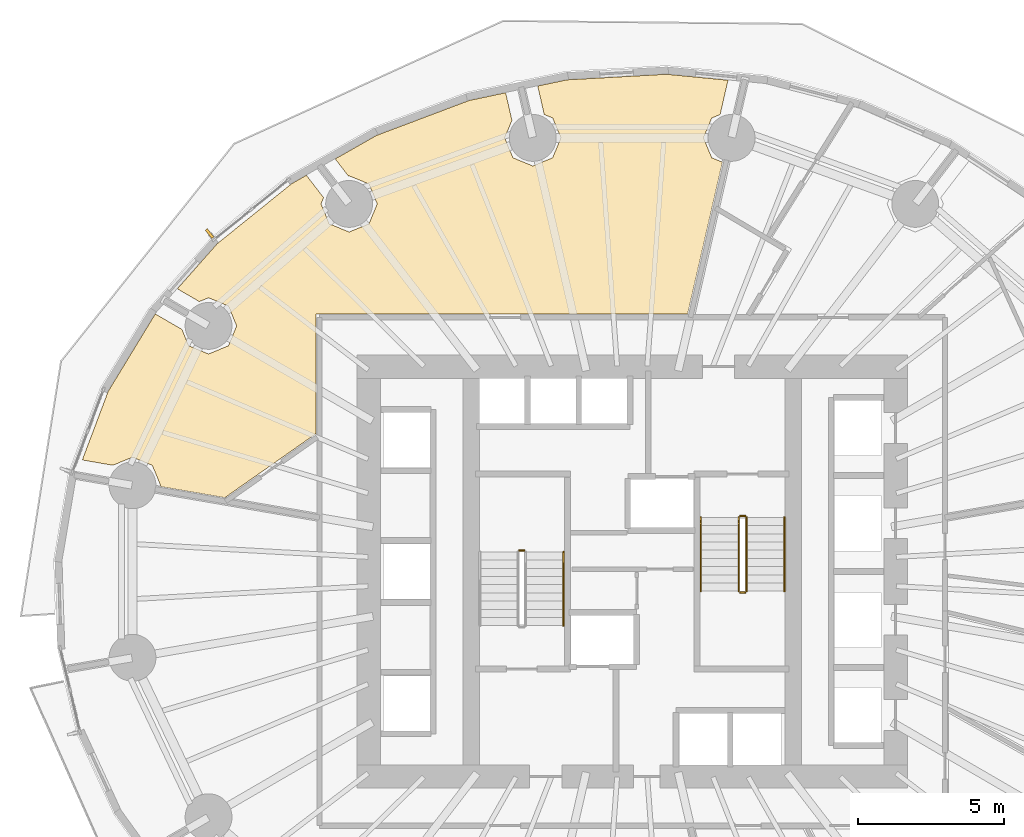
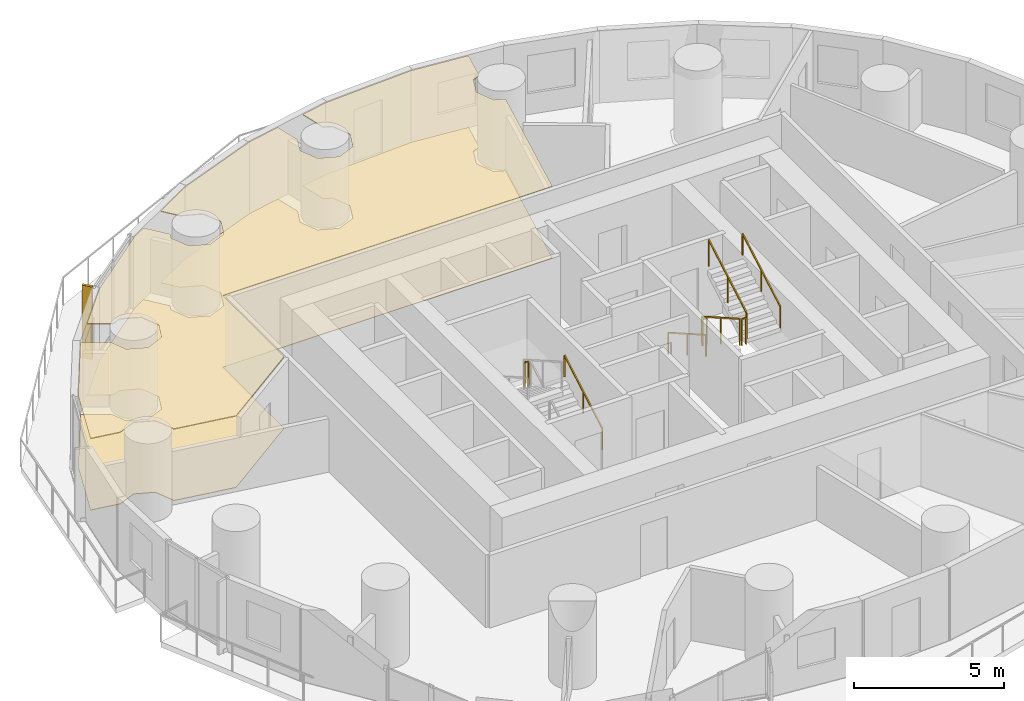
# One storey, part 13 of 14: 8 railings, 2 coverings, 1 shading device.
"""IFC4 building model written with IfcOpenShell, lengths in metres."""

from ifc_helpers import new_model, si_unit, direction, frame, origin, origin_2d, place, context, subcontext, project, spatial, polyline, rectangle, outline, extrude, material, layer, layer_set, type_object, element, save


model = new_model("IFC4")

# Units and contexts
model_context = context("Model", 3, precision=1e-05, world=origin(), true_north=direction((0.0, 1.0)))
body_context = subcontext(model_context, "Body", "Model", "MODEL_VIEW")
ifc_project = project(units=[si_unit("LENGTHUNIT", "METRE"), si_unit("AREAUNIT", "SQUARE_METRE"), si_unit("VOLUMEUNIT", "CUBIC_METRE"), si_unit("PLANEANGLEUNIT", "RADIAN"), si_unit("MASSUNIT", "GRAM", prefix="KILO")], contexts=[model_context])

# Site, building, storey
site_placement = place(None, origin())
site = spatial("IfcSite", under=ifc_project, at=site_placement, CompositionType="ELEMENT")
building_placement = place(site_placement, origin())
building = spatial("IfcBuilding", under=site, at=building_placement, Name="Veldorim Arch Residences", CompositionType="ELEMENT")
storey_placement = place(building_placement, frame((0.0, 0.0, 34.39990234375)))
storey = spatial("IfcBuildingStorey", under=building, at=storey_placement, Name="L09", CompositionType="ELEMENT", Elevation=34.39990234375)

# Railings
ifc_material_1 = material(Name="Steel S355", Category="steel")
railing_type_1 = type_object("IfcRailingType", Name="Galvanised Steel Stair Safety Guardrail 1100", PredefinedType="GUARDRAIL", material=ifc_material_1)
railing_1_placement = place(storey_placement, frame((28.31005859375, 24.719970703125, 1.60009765625)))
element("IfcRailing", 1, at=railing_1_placement, inside=storey, type_object=railing_type_1, Name="L09 ST-1 stair guard 2", PredefinedType="GUARDRAIL", context=body_context, shape_type="SweptSolid", body=[
    extrude(rectangle(XDim=0.048095703125, YDim=0.048095703125, at=origin_2d()), frame((0.0, 0.0, 1.076171875), z_axis=(-1.0, 0.0, 0.0), x_axis=(0.0, -1.0, 0.0)), (0.0, 0.0, 1.0), 0.16015625),
    extrude(rectangle(XDim=0.0419921875, YDim=0.0419921875, at=origin_2d()), origin(), (0.0, 0.0, 1.0), 1.052001953125),
    extrude(rectangle(XDim=0.0419921875, YDim=0.0419921875, at=origin_2d()), frame((-0.16015625, 0.0, 0.0)), (0.0, 0.0, 1.0), 1.052001953125),
])
railing_2_placement = place(storey_placement, frame((35.639892578125, 25.85009765625, 0.16015625)))
element("IfcRailing", 2, at=railing_2_placement, inside=storey, type_object=railing_type_1, Name="L09 ST-2 stair guard 1", PredefinedType="GUARDRAIL", context=body_context, shape_type="SweptSolid", body=[
    extrude(rectangle(XDim=0.048095703125, YDim=0.048095703125, at=origin_2d()), frame((0.0, 0.0, 1.076171875), z_axis=(0.0, -0.868253494771, 0.496120820787), x_axis=(1.0, 0.0, 0.0)), (0.0, 0.0, 1.0), 2.90234375),
    extrude(rectangle(XDim=0.0419921875, YDim=0.0419921875, at=origin_2d()), origin(), (0.0, 0.0, 1.0), 1.052001953125),
    extrude(rectangle(XDim=0.0419921875, YDim=0.0419921875, at=origin_2d()), frame((0.0, -1.260009765625, 0.719970703125)), (0.0, 0.0, 1.0), 1.052001953125),
    extrude(rectangle(XDim=0.0419921875, YDim=0.0419921875, at=origin_2d()), frame((0.0, -2.52001953125, 1.43994140625)), (0.0, 0.0, 1.0), 1.052001953125),
])
railing_3_placement = place(storey_placement, frame((35.68994140625, 23.280029296875, 1.60009765625)))
element("IfcRailing", 3, at=railing_3_placement, inside=storey, type_object=railing_type_1, Name="L09 ST-2 stair guard 2", PredefinedType="GUARDRAIL", context=body_context, shape_type="SweptSolid", body=[
    extrude(rectangle(XDim=0.048095703125, YDim=0.048095703125, at=origin_2d()), frame((0.0, 0.0, 1.076171875), z_axis=(1.0, 0.0, 0.0), x_axis=(0.0, 1.0, 0.0)), (0.0, 0.0, 1.0), 0.16015625),
    extrude(rectangle(XDim=0.0419921875, YDim=0.0419921875, at=origin_2d()), origin(), (0.0, 0.0, 1.0), 1.052001953125),
    extrude(rectangle(XDim=0.0419921875, YDim=0.0419921875, at=origin_2d()), frame((0.16015625, 0.0, 0.0)), (0.0, 0.0, 1.0), 1.052001953125),
])
railing_4_placement = place(storey_placement, frame((35.89990234375, 23.330078125, 1.760009765625)))
element("IfcRailing", 4, at=railing_4_placement, inside=storey, type_object=railing_type_1, Name="L09 ST-2 stair guard 3", PredefinedType="GUARDRAIL", context=body_context, shape_type="SweptSolid", body=[
    extrude(rectangle(XDim=0.048095703125, YDim=0.048095703125, at=origin_2d()), frame((0.0, 0.0, 1.076171875), z_axis=(0.0, 0.868217259934, 0.496184229447), x_axis=(-1.0, 0.0, 0.0)), (0.0, 0.0, 1.0), 2.902587890625),
    extrude(rectangle(XDim=0.0419921875, YDim=0.0419921875, at=origin_2d()), origin(), (0.0, 0.0, 1.0), 1.052001953125),
    extrude(rectangle(XDim=0.0419921875, YDim=0.0419921875, at=origin_2d()), frame((0.0, 1.260009765625, 0.72021484375)), (0.0, 0.0, 1.0), 1.052001953125),
    extrude(rectangle(XDim=0.0419921875, YDim=0.0419921875, at=origin_2d()), frame((0.0, 2.52001953125, 1.440185546875)), (0.0, 0.0, 1.0), 1.052001953125),
])
railing_5_placement = place(storey_placement, frame((35.68994140625, 25.89990234375, 0.0)))
element("IfcRailing", 5, at=railing_5_placement, inside=storey, type_object=railing_type_1, Name="L09 ST-2 stair guard 4", PredefinedType="GUARDRAIL", context=body_context, shape_type="SweptSolid", body=[
    extrude(rectangle(XDim=0.048095703125, YDim=0.048095703125, at=origin_2d()), frame((0.0, 0.0, 1.076171875), z_axis=(1.0, 0.0, 0.0), x_axis=(0.0, 1.0, 0.0)), (0.0, 0.0, 1.0), 0.16015625),
    extrude(rectangle(XDim=0.0419921875, YDim=0.0419921875, at=origin_2d()), origin(), (0.0, 0.0, 1.0), 1.052001953125),
    extrude(rectangle(XDim=0.0419921875, YDim=0.0419921875, at=origin_2d()), frame((0.16015625, 0.0, 0.0)), (0.0, 0.0, 1.0), 1.052001953125),
])

# Coverings
ifc_material_2 = material(Name="Acoustic Gypsum & Mineral Fibre", Category="gypsum")
ifc_layer_1 = layer(ifc_material_2, 0.034912109375, Name="Perforated Acoustic Mineral-Fibre Ceiling 35")
ifc_layer_set_1 = layer_set([ifc_layer_1], Name="Acoustic Gypsum & Mineral Fibre")
covering_type_1 = type_object("IfcCoveringType", Name="Perforated Acoustic Mineral-Fibre Ceiling 35", PredefinedType="CEILING", material=ifc_layer_set_1)
covering_1_placement = place(storey_placement, frame((0.0, 0.0, 2.905029296875)))
element("IfcCovering", 6, at=covering_1_placement, inside=storey, type_object=covering_type_1, Name="L09 acoustic suspended ceiling 06", PredefinedType="CEILING", context=body_context, shape_type="SweptSolid", body=[
    extrude(outline(polyline([(13.220703125, 27.81005859375), (14.10498046875, 30.15478515625), (15.71240234375, 32.797119140625), (16.6220703125, 32.269775390625), (16.853759765625, 31.71044921875), (17.532470703125, 31.42919921875), (18.211181640625, 31.71044921875), (18.4921875, 32.38916015625), (18.211181640625, 33.06787109375), (17.532470703125, 33.34912109375), (17.218017578125, 33.21875), (16.46630859375, 33.654541015625), (17.830078125, 35.198486328125), (20.373046875, 37.248046875), (20.873779296875, 37.53271484375), (21.4619140625, 36.76904296875), (21.373291015625, 36.55517578125), (21.654296875, 35.87646484375), (22.3330078125, 35.59521484375), (23.01171875, 35.87646484375), (23.29296875, 36.55517578125), (23.01171875, 37.23388671875), (22.3330078125, 37.51513671875), (22.30859375, 37.5048828125), (21.85693359375, 38.091552734375), (23.271240234375, 38.895263671875), (26.436279296875, 40.0888671875), (27.677734375, 40.3505859375), (27.8935546875, 39.40869140625), (27.6455078125, 38.809814453125), (27.9267578125, 38.131103515625), (28.60546875, 37.85009765625), (29.2841796875, 38.131103515625), (29.565185546875, 38.809814453125), (29.2841796875, 39.488525390625), (28.9970703125, 39.607421875), (28.773681640625, 40.581787109375), (29.771484375, 40.7919921875), (33.174560546875, 40.983154296875), (35.271484375, 40.779541015625), (35.0029296875, 39.607421875), (34.7158203125, 39.488525390625), (34.434814453125, 38.809814453125), (34.7158203125, 38.131103515625), (35.081298828125, 37.979736328125), (33.893798828125, 32.800048828125), (21.199951171875, 32.800048828125), (21.199951171875, 28.70654296875), (18.08837890625, 26.523193359375), (15.877197265625, 26.90478515625), (15.894287109375, 26.94580078125), (15.613037109375, 27.62451171875), (14.934326171875, 27.90576171875), (14.26708984375, 27.62939453125), (13.220703125, 27.81005859375)])), origin(), (0.0, 0.0, 1.0), 0.03515625),
])
ifc_material_3 = material(Name="Porcelain Ceramic Tile", Category="ceramic")
ifc_layer_2 = layer(ifc_material_3, 0.02001953125, Name="Slip-Resistant Porcelain & Vinyl Floor Finish 20")
ifc_layer_set_2 = layer_set([ifc_layer_2], Name="Porcelain Ceramic Tile")
covering_type_2 = type_object("IfcCoveringType", Name="Slip-Resistant Porcelain & Vinyl Floor Finish 20", PredefinedType="FLOORING", material=ifc_layer_set_2)
covering_2_placement = place(storey_placement, origin())
element("IfcCovering", 7, at=covering_2_placement, inside=storey, type_object=covering_type_2, Name="L09 porcelain floor finish 06", PredefinedType="FLOORING", context=body_context, shape_type="SweptSolid", body=[
    extrude(outline(polyline([(13.220703125, 27.81005859375), (14.10498046875, 30.15478515625), (15.71240234375, 32.797119140625), (16.6220703125, 32.269775390625), (16.853759765625, 31.71044921875), (17.532470703125, 31.42919921875), (18.211181640625, 31.71044921875), (18.4921875, 32.38916015625), (18.211181640625, 33.06787109375), (17.532470703125, 33.34912109375), (17.218017578125, 33.21875), (16.46630859375, 33.654541015625), (17.830078125, 35.198486328125), (20.373046875, 37.248046875), (20.873779296875, 37.53271484375), (21.4619140625, 36.76904296875), (21.373291015625, 36.55517578125), (21.654296875, 35.87646484375), (22.3330078125, 35.59521484375), (23.01171875, 35.87646484375), (23.29296875, 36.55517578125), (23.01171875, 37.23388671875), (22.3330078125, 37.51513671875), (22.30859375, 37.5048828125), (21.85693359375, 38.091552734375), (23.271240234375, 38.895263671875), (26.436279296875, 40.0888671875), (27.677734375, 40.3505859375), (27.8935546875, 39.40869140625), (27.6455078125, 38.809814453125), (27.9267578125, 38.131103515625), (28.60546875, 37.85009765625), (29.2841796875, 38.131103515625), (29.565185546875, 38.809814453125), (29.2841796875, 39.488525390625), (28.9970703125, 39.607421875), (28.773681640625, 40.581787109375), (29.771484375, 40.7919921875), (33.174560546875, 40.983154296875), (35.271484375, 40.779541015625), (35.0029296875, 39.607421875), (34.7158203125, 39.488525390625), (34.434814453125, 38.809814453125), (34.7158203125, 38.131103515625), (35.081298828125, 37.979736328125), (33.893798828125, 32.800048828125), (21.199951171875, 32.800048828125), (21.199951171875, 28.70654296875), (18.08837890625, 26.523193359375), (15.877197265625, 26.90478515625), (15.894287109375, 26.94580078125), (15.613037109375, 27.62451171875), (14.934326171875, 27.90576171875), (14.26708984375, 27.62939453125), (13.220703125, 27.81005859375)])), origin(), (0.0, 0.0, 1.0), 0.02001953125),
])

# Railings
ifc_material_4 = material(Name="Stainless Steel", Category="steel")
railing_type_2 = type_object("IfcRailingType", Name="Tubular Steel Continuous Wall Handrail 900", PredefinedType="HANDRAIL", material=ifc_material_4)
railing_6_placement = place(storey_placement, frame((29.659912109375, 22.14990234375, 0.16015625)))
element("IfcRailing", 8, at=railing_6_placement, inside=storey, type_object=railing_type_2, Name="L09 ST-1 stair handrail 1", PredefinedType="HANDRAIL", context=body_context, shape_type="SweptSolid", body=[
    extrude(rectangle(XDim=0.048095703125, YDim=0.048095703125, at=origin_2d()), frame((0.0, 0.0, 0.8759765625), z_axis=(0.0, 0.868253494771, 0.496120820787), x_axis=(-1.0, 0.0, 0.0)), (0.0, 0.0, 1.0), 2.90234375),
    extrude(rectangle(XDim=0.0419921875, YDim=0.0419921875, at=origin_2d()), origin(), (0.0, 0.0, 1.0), 0.851806640625),
    extrude(rectangle(XDim=0.0419921875, YDim=0.0419921875, at=origin_2d()), frame((0.0, 1.260009765625, 0.719970703125)), (0.0, 0.0, 1.0), 0.851806640625),
    extrude(rectangle(XDim=0.0419921875, YDim=0.0419921875, at=origin_2d()), frame((0.0, 2.52001953125, 1.43994140625)), (0.0, 0.0, 1.0), 0.851806640625),
])
railing_7_placement = place(storey_placement, frame((34.340087890625, 25.85009765625, 0.16015625)))
element("IfcRailing", 9, at=railing_7_placement, inside=storey, type_object=railing_type_2, Name="L09 ST-2 stair handrail 1", PredefinedType="HANDRAIL", context=body_context, shape_type="SweptSolid", body=[
    extrude(rectangle(XDim=0.048095703125, YDim=0.048095703125, at=origin_2d()), frame((0.0, 0.0, 0.8759765625), z_axis=(0.0, -0.868253494771, 0.496120820787), x_axis=(1.0, 0.0, 0.0)), (0.0, 0.0, 1.0), 2.90234375),
    extrude(rectangle(XDim=0.0419921875, YDim=0.0419921875, at=origin_2d()), origin(), (0.0, 0.0, 1.0), 0.851806640625),
    extrude(rectangle(XDim=0.0419921875, YDim=0.0419921875, at=origin_2d()), frame((0.0, -1.260009765625, 0.719970703125)), (0.0, 0.0, 1.0), 0.851806640625),
    extrude(rectangle(XDim=0.0419921875, YDim=0.0419921875, at=origin_2d()), frame((0.0, -2.52001953125, 1.43994140625)), (0.0, 0.0, 1.0), 0.851806640625),
])
railing_8_placement = place(storey_placement, frame((37.199951171875, 23.330078125, 1.760009765625)))
element("IfcRailing", 10, at=railing_8_placement, inside=storey, type_object=railing_type_2, Name="L09 ST-2 stair handrail 2", PredefinedType="HANDRAIL", context=body_context, shape_type="SweptSolid", body=[
    extrude(rectangle(XDim=0.048095703125, YDim=0.048095703125, at=origin_2d()), frame((0.0, 0.0, 0.8759765625), z_axis=(0.0, 0.868217259934, 0.496184229447), x_axis=(-1.0, 0.0, 0.0)), (0.0, 0.0, 1.0), 2.902587890625),
    extrude(rectangle(XDim=0.0419921875, YDim=0.0419921875, at=origin_2d()), origin(), (0.0, 0.0, 1.0), 0.851806640625),
    extrude(rectangle(XDim=0.0419921875, YDim=0.0419921875, at=origin_2d()), frame((0.0, 1.260009765625, 0.72021484375)), (0.0, 0.0, 1.0), 0.851806640625),
    extrude(rectangle(XDim=0.0419921875, YDim=0.0419921875, at=origin_2d()), frame((0.0, 2.52001953125, 1.440185546875)), (0.0, 0.0, 1.0), 0.851806640625),
])

# Shading device
ifc_material_5 = material(Name="Terracotta Ceramic", Category="masonry")
ifc_layer_3 = layer(ifc_material_5, 0.090087890625, Name="Vertical Extruded Terracotta Baguette Sun-Shading Fin")
ifc_layer_set_3 = layer_set([ifc_layer_3], Name="Terracotta Ceramic")
shading_device_type = type_object("IfcShadingDeviceType", Name="Vertical Extruded Terracotta Baguette Sun-Shading Fin", PredefinedType="USERDEFINED", material=ifc_layer_set_3)
shading_device_placement = place(storey_placement, frame((17.56689453125, 35.541748046875, 0.0), z_axis=(0.0, 0.0, 1.0), x_axis=(0.778571842519, 0.627555484428, 0.0)))
element("IfcShadingDevice", 11, at=shading_device_placement, inside=storey, type_object=shading_device_type, Name="L09 vertical terracotta sun-shading fin 13", ObjectType="FIN", PredefinedType="USERDEFINED", context=body_context, shape_type="SweptSolid", body=[
    extrude(rectangle(XDim=0.090087890625, YDim=0.360107421875, at=origin_2d()), origin(), (0.0, 0.0, 1.0), 2.9599609375),
])

save(model, "model.ifc")
